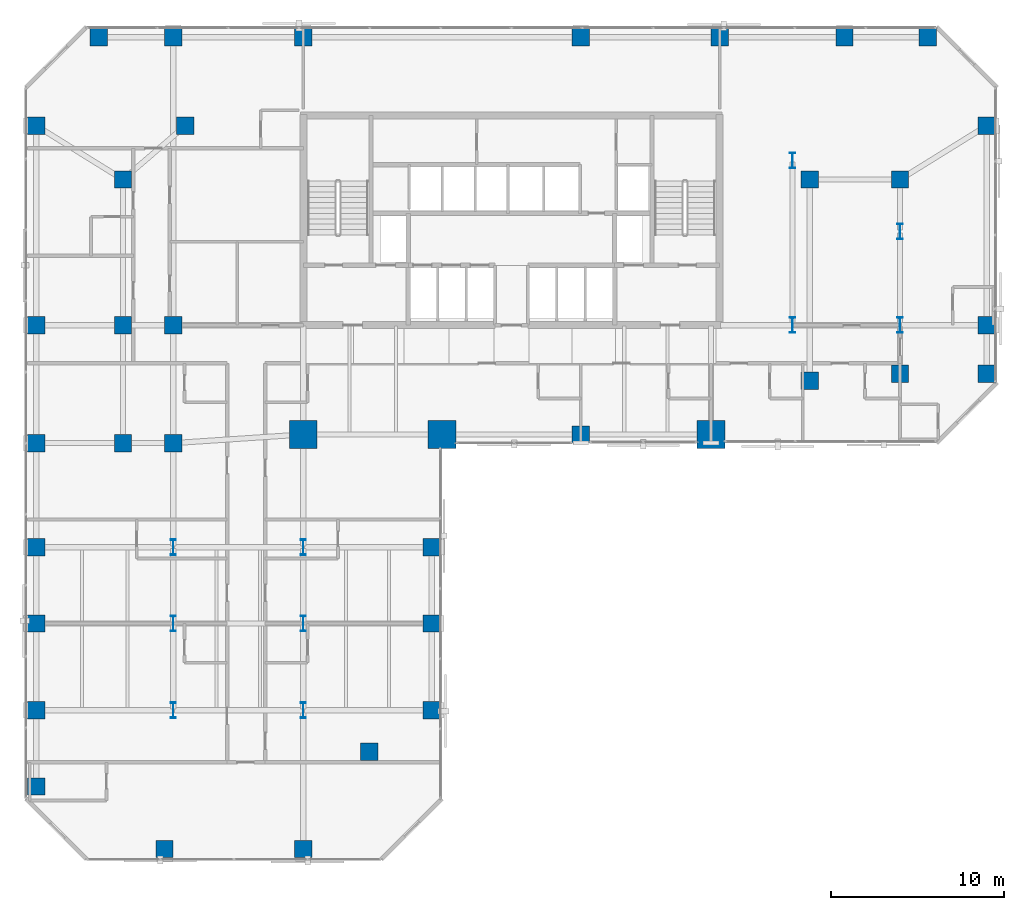
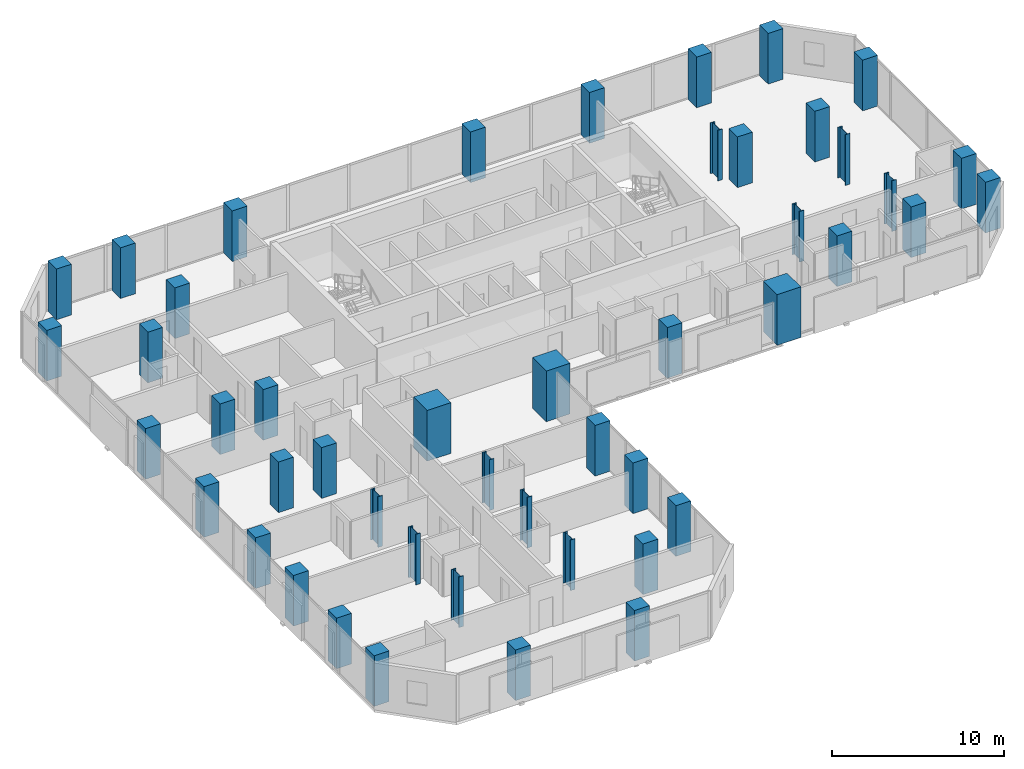
# One storey, part 1 of 31: 47 columns.
"""IFC4 building model written with IfcOpenShell, lengths in metres."""

from ifc_helpers import new_model, si_unit, direction, frame, origin, origin_2d, place, context, subcontext, project, spatial, rectangle, i_section, extrude, material, material_profile, profile_set, type_object, element, save


model = new_model("IFC4")

# Units and contexts
model_context = context("Model", 3, precision=1e-05, world=origin(), true_north=direction((0.0, 1.0)))
body_context = subcontext(model_context, "Body", "Model", "MODEL_VIEW")
ifc_project = project(units=[si_unit("LENGTHUNIT", "METRE"), si_unit("AREAUNIT", "SQUARE_METRE"), si_unit("VOLUMEUNIT", "CUBIC_METRE"), si_unit("PLANEANGLEUNIT", "RADIAN"), si_unit("MASSUNIT", "GRAM", prefix="KILO")], contexts=[model_context])

# Site, building, storey
site_placement = place(None, origin())
site = spatial("IfcSite", under=ifc_project, at=site_placement, CompositionType="ELEMENT")
building_placement = place(site_placement, origin())
building = spatial("IfcBuilding", under=site, at=building_placement, Name="Catumbela Crestline Tower", CompositionType="ELEMENT")
storey_placement = place(building_placement, frame((0.0, 0.0, 25.8)))
storey = spatial("IfcBuildingStorey", under=building, at=storey_placement, Name="L05", CompositionType="ELEMENT", Elevation=25.8)

# Columns
ifc_material_1 = material(Name="Concrete C60/75", Category="concrete")
ifc_material_profile_1 = material_profile(ifc_material_1, rectangle(XDim=1.0, YDim=1.0, at=origin_2d()), Name="RC 1000x1000")
ifc_profile_set_1 = profile_set([ifc_material_profile_1], Name="Concrete C60/75")
column_type_1 = type_object("IfcColumnType", Name="C-RC1000-C60", PredefinedType="COLUMN", material=ifc_profile_set_1)
for number, where, z_axis, x_axis, name in (
    (1, (8.5, 24.0, 0.0), (0.0, 0.0, 1.0), (1.0, 0.0, 0.0), "L05 Column C-08-24 (RC 1000x1000)"),
    (2, (32.0, 24.5, 0.0), (0.0, 0.0, 1.0), (1.0, 0.0, 0.0), "L05 Column C-32-24 (RC 1000x1000)"),
    (3, (5.6, 24.0, 0.0), (0.0, 0.0, 1.0), (1.0, 0.0, 0.0), "L05 Column C-05-24 (RC 1000x1000)"),
    (4, (5.6, 30.8, 0.0), (0.0, 0.0, 1.0), (1.0, 0.0, 0.0), "L05 Column C-05-31 (RC 1000x1000)"),
    (5, (5.6, 39.2, 0.0), (0.0, 0.0, 1.0), (1.0, 0.0, 0.0), "L05 Column C-05-43 (RC 1000x1000)"),
    (6, (8.5, 30.8, 0.0), (0.0, 0.0, 1.0), (1.0, 0.0, 0.0), "L05 Column C-08-31 (RC 1000x1000)"),
    (7, (9.2, 42.3, 0.0), (0.0, 0.0, 1.0), (1.0, 0.0, 0.0), "L05 Column C-08-43 (RC 1000x1000)"),
    (8, (45.2, 27.6, 0.0), (0.0, 0.0, 1.0), (1.0, 0.0, 0.0), "L05 Column C-46-24 (RC 1000x1000)"),
    (9, (45.2, 39.2, 0.0), (0.0, 0.0, 1.0), (1.0, 0.0, 0.0), "L05 Column C-46-43 (RC 1000x1000)"),
    (10, (0.6, 24.0, 0.0), (0.0, 0.0, 1.0), (1.0, 0.0, 0.0), "L05 Column C-00-24 (RC 1000x1000)"),
    (11, (0.6, 30.8, 0.0), (0.0, 0.0, 1.0), (1.0, 0.0, 0.0), "L05 Column C-00-31 (RC 1000x1000)"),
    (12, (0.6, 42.3, 0.0), (0.0, 0.0, 1.0), (1.0, 0.0, 0.0), "L05 Column C-00-43 (RC 1000x1000)"),
    (13, (4.2, 47.4, 0.0), (0.0, 0.0, 1.0), (1.0, 0.0, 0.0), "L05 Column C-00-48 (RC 1000x1000)"),
    (14, (8.5, 47.4, 0.0), (0.0, 0.0, 1.0), (1.0, 0.0, 0.0), "L05 Column C-08-48 (RC 1000x1000)"),
    (15, (16.0, 47.4, 0.0), (0.0, 0.0, 1.0), (1.0, 0.0, 0.0), "L05 Column C-16-48 (RC 1000x1000)"),
    (16, (32.0, 47.4, 0.0), (0.0, 0.0, 1.0), (1.0, 0.0, 0.0), "L05 Column C-32-48 (RC 1000x1000)"),
    (17, (40.0, 47.4, 0.0), (0.0, 0.0, 1.0), (1.0, 0.0, 0.0), "L05 Column C-40-48 (RC 1000x1000)"),
    (18, (47.2, 47.4, 0.0), (0.0, 0.0, 1.0), (1.0, 0.0, 0.0), "L05 Column C-48-48 (RC 1000x1000)"),
    (19, (50.4, 28.0, 0.0), (0.0, 0.0, 1.0), (1.0, 0.0, 0.0), "L05 Column C-51-24 (RC 1000x1000)"),
    (20, (50.4, 39.2, 0.0), (0.0, 0.0, 1.0), (1.0, 0.0, 0.0), "L05 Column C-51-43 (RC 1000x1000)"),
    (21, (55.4, 28.0, 0.0), (0.0, 0.0, 1.0), (1.0, 0.0, 0.0), "L05 Column C-56-24 (RC 1000x1000)"),
    (22, (55.4, 30.8, 0.0), (0.0, 0.0, 1.0), (1.0, 0.0, 0.0), "L05 Column C-56-31 (RC 1000x1000)"),
    (23, (55.4, 42.3, 0.0), (0.0, 0.0, 1.0), (1.0, 0.0, 0.0), "L05 Column C-56-43 (RC 1000x1000)"),
    (24, (52.0, 47.4, 0.0), (0.0, 0.0, 1.0), (1.0, 0.0, 0.0), "L05 Column C-56-48 (RC 1000x1000)"),
    (25, (0.6, 8.6, 0.0), (0.0, 0.0, 1.0), (1.0, 0.0, 0.0), "L05 Column C-00-05 (RC 1000x1000)"),
    (26, (0.6, 13.6, 0.0), (0.0, 0.0, 1.0), (1.0, 0.0, 0.0), "L05 Column C-00-10 (RC 1000x1000)"),
    (27, (0.6, 18.0, 0.0), (0.0, 0.0, 1.0), (1.0, 0.0, 0.0), "L05 Column C-00-16 (RC 1000x1000)"),
    (28, (0.6, 4.2, 0.0), (0.0, 0.0, 1.0), (1.0, 0.0, 0.0), "L05 Column C-00-03 (RC 1000x1000)"),
    (29, (8.0, 0.6, 0.0), (0.0, 0.0, 1.0), (1.0, 0.0, 0.0), "L05 Column C-08-00 (RC 1000x1000)"),
    (30, (16.0, 0.6, 0.0), (0.0, 0.0, 1.0), (1.0, 0.0, 0.0), "L05 Column C-16-00 (RC 1000x1000)"),
    (31, (19.8, 6.2, 0.0), (0.0, 0.0, 1.0), (1.0, 0.0, 0.0), "L05 Column C-24-05 (RC 1000x1000)"),
    (32, (23.4, 8.6, 0.0), (0.0, 0.0, 1.0), (1.0, 0.0, 0.0), "L05 Column C-23-08 (RC 1000x1000)"),
    (33, (23.4, 13.6, 0.0), (0.0, 0.0, 1.0), (1.0, 0.0, 0.0), "L05 Column C-24-10 (RC 1000x1000)"),
    (34, (23.4, 18.0, 0.0), (0.0, 0.0, 1.0), (1.0, 0.0, 0.0), "L05 Column C-24-16 (RC 1000x1000)"),
):
    element("IfcColumn", number, at=place(storey_placement, frame(where, z_axis=z_axis, x_axis=x_axis)), inside=storey, type_object=column_type_1, Name=name, PredefinedType="COLUMN", context=body_context, shape_type="SweptSolid", body=[
        extrude(rectangle(XDim=1.0, YDim=1.0, at=origin_2d()), origin(), (0.0, 0.0, 1.0), 3.6),
    ])
ifc_material_profile_2 = material_profile(ifc_material_1, rectangle(XDim=1.6, YDim=1.6, at=origin_2d()), Name="RC 1600x1600")
ifc_profile_set_2 = profile_set([ifc_material_profile_2], Name="Concrete C60/75")
column_type_2 = type_object("IfcColumnType", Name="C-RC1600-C60", PredefinedType="COLUMN", material=ifc_profile_set_2)
for number, where, z_axis, x_axis, name in (
    (35, (16.0, 24.5, 0.0), (0.0, 0.0, 1.0), (1.0, 0.0, 0.0), "L05 Column C-16-24 (RC 1600x1600)"),
    (36, (24.0, 24.5, 0.0), (0.0, 0.0, 1.0), (1.0, 0.0, 0.0), "L05 Column C-24-24 (RC 1600x1600)"),
    (37, (39.5, 24.5, 0.0), (0.0, 0.0, 1.0), (1.0, 0.0, 0.0), "L05 Column C-40-24 (RC 1600x1600)"),
):
    element("IfcColumn", number, at=place(storey_placement, frame(where, z_axis=z_axis, x_axis=x_axis)), inside=storey, type_object=column_type_2, Name=name, PredefinedType="COLUMN", context=body_context, shape_type="SweptSolid", body=[
        extrude(rectangle(XDim=1.6, YDim=1.6, at=origin_2d()), origin(), (0.0, 0.0, 1.0), 3.6),
    ])
ifc_material_2 = material(Name="Structural steel S460M", Category="steel")
ifc_material_profile_3 = material_profile(ifc_material_2, i_section(OverallWidth=0.3, OverallDepth=0.9, WebThickness=0.0185, FlangeThickness=0.035, FilletRadius=0.03, at=origin_2d()), Name="HEB 900")
ifc_profile_set_3 = profile_set([ifc_material_profile_3], Name="Structural steel S460M")
column_type_3 = type_object("IfcColumnType", Name="C-ST-HEB900", PredefinedType="COLUMN", material=ifc_profile_set_3)
for number, where, z_axis, x_axis, name in (
    (38, (8.5, 8.6, 0.0), (0.0, 0.0, 1.0), (1.0, 0.0, 0.0), "L05 Column CT-05-05 (HEB 900)"),
    (39, (16.0, 8.6, 0.0), (0.0, 0.0, 1.0), (1.0, 0.0, 0.0), "L05 Column CT-14-05 (HEB 900)"),
    (40, (8.5, 13.6, 0.0), (0.0, 0.0, 1.0), (1.0, 0.0, 0.0), "L05 Column CT-05-10 (HEB 900)"),
    (41, (16.0, 13.6, 0.0), (0.0, 0.0, 1.0), (1.0, 0.0, 0.0), "L05 Column CT-14-10 (HEB 900)"),
    (42, (8.5, 18.0, 0.0), (0.0, 0.0, 1.0), (1.0, 0.0, 0.0), "L05 Column CT-05-16 (HEB 900)"),
    (43, (16.0, 18.0, 0.0), (0.0, 0.0, 1.0), (1.0, 0.0, 0.0), "L05 Column CT-14-16 (HEB 900)"),
    (44, (44.2, 30.8, 0.0), (0.0, 0.0, 1.0), (1.0, 0.0, 0.0), "L05 Column CT-46-31 (HEB 900)"),
    (45, (44.2, 40.3, 0.0), (0.0, 0.0, 1.0), (1.0, 0.0, 0.0), "L05 Column CT-46-37 (HEB 900)"),
    (46, (50.4, 30.8, 0.0), (0.0, 0.0, 1.0), (1.0, 0.0, 0.0), "L05 Column CT-51-31 (HEB 900)"),
    (47, (50.4, 36.2, 0.0), (0.0, 0.0, 1.0), (1.0, 0.0, 0.0), "L05 Column CT-51-37 (HEB 900)"),
):
    element("IfcColumn", number, at=place(storey_placement, frame(where, z_axis=z_axis, x_axis=x_axis)), inside=storey, type_object=column_type_3, Name=name, PredefinedType="COLUMN", context=body_context, shape_type="SweptSolid", body=[
        extrude(i_section(OverallWidth=0.3, OverallDepth=0.9, WebThickness=0.0185, FlangeThickness=0.035, FilletRadius=0.03, at=origin_2d()), origin(), (0.0, 0.0, 1.0), 3.6),
    ])

save(model, "model.ifc")
